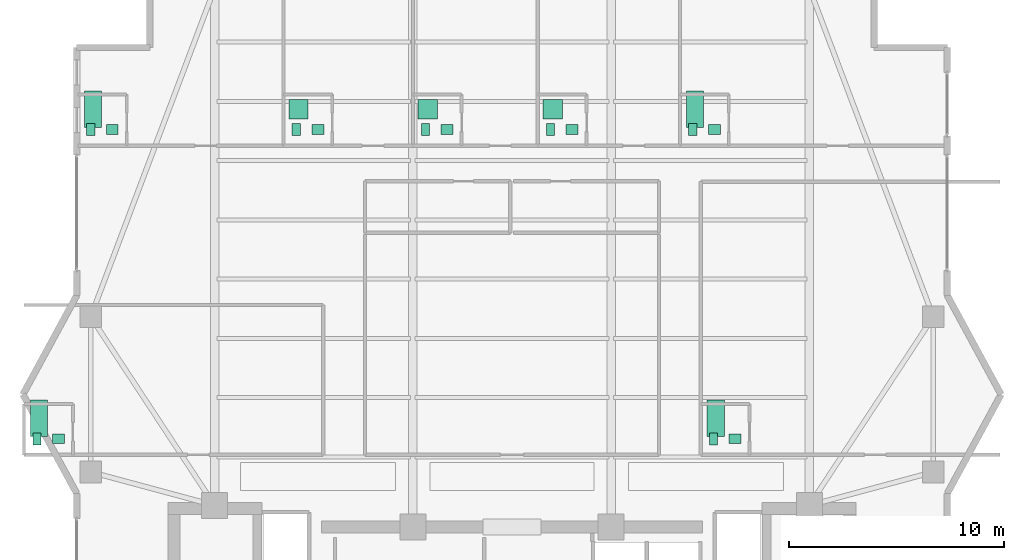
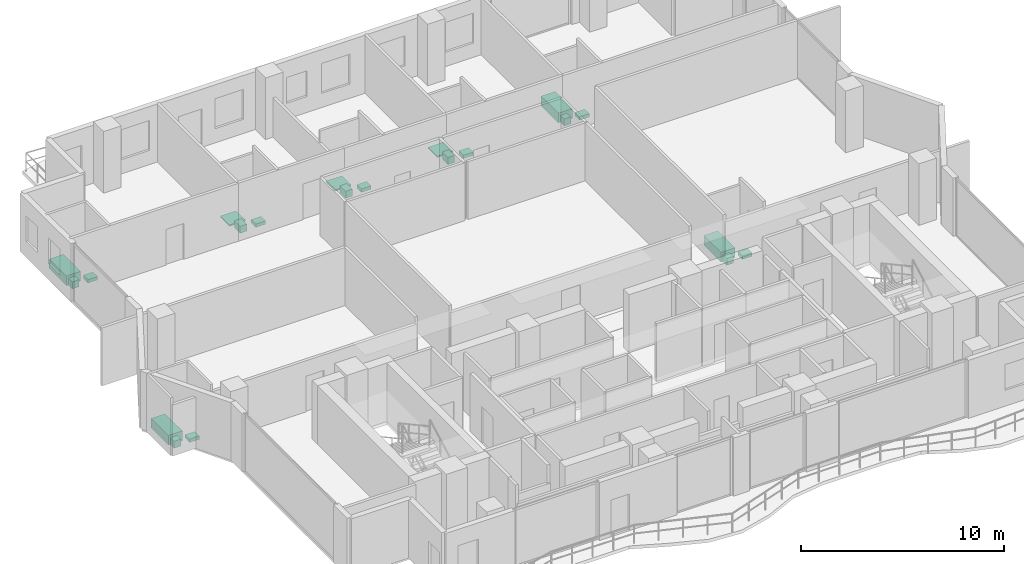
# One storey, part 25 of 25: 21 sanitary terminals.
"""IFC4 building model written with IfcOpenShell, lengths in metres."""

from ifc_helpers import new_model, si_unit, direction, frame, origin, origin_2d, place, context, subcontext, project, spatial, rectangle, extrude, material, type_object, element, save


model = new_model("IFC4")

# Units and contexts
model_context = context("Model", 3, precision=1e-05, world=origin(), true_north=direction((0.0, 1.0)))
body_context = subcontext(model_context, "Body", "Model", "MODEL_VIEW")
ifc_project = project(units=[si_unit("LENGTHUNIT", "METRE"), si_unit("AREAUNIT", "SQUARE_METRE"), si_unit("VOLUMEUNIT", "CUBIC_METRE"), si_unit("PLANEANGLEUNIT", "RADIAN"), si_unit("MASSUNIT", "GRAM", prefix="KILO")], contexts=[model_context])

# Site, building, storey
site_placement = place(None, origin())
site = spatial("IfcSite", under=ifc_project, at=site_placement, CompositionType="ELEMENT")
building_placement = place(site_placement, origin())
building = spatial("IfcBuilding", under=site, at=building_placement, Name="Zuhayl Quay Hotel", CompositionType="ELEMENT")
storey_placement = place(building_placement, frame((0.0, 0.0, 243.35009765625)))
storey = spatial("IfcBuildingStorey", under=building, at=storey_placement, Name="L61", CompositionType="ELEMENT", Elevation=243.35009765625)

# Sanitary terminals
ifc_material = material(Name="Vitreous Porcelain Sanitaryware")
sanitary_terminal_type_1 = type_object("IfcSanitaryTerminalType", Name="SAN_BASIN", PredefinedType="WASHHANDBASIN", material=ifc_material)
for number, where, z_axis, x_axis, name in (
    (1, (-18.550048828125, 31.7900390625, 0.0), (0.0, 0.0, 1.0), (1.0, 0.0, 0.0), "L61 Sanitary Fixture WASHHANDBASIN"),
    (2, (-9.010009765625, 31.7900390625, 0.0), (0.0, 0.0, 1.0), (1.0, 0.0, 0.0), "L61 Sanitary Fixture WASHHANDBASIN"),
    (3, (-3.010009765625, 31.7900390625, 0.0), (0.0, 0.0, 1.0), (1.0, 0.0, 0.0), "L61 Sanitary Fixture WASHHANDBASIN"),
    (4, (2.7900390625, 31.7900390625, 0.0), (0.0, 0.0, 1.0), (1.0, 0.0, 0.0), "L61 Sanitary Fixture WASHHANDBASIN"),
    (5, (9.389892578125, 31.7900390625, 0.0), (0.0, 0.0, 1.0), (1.0, 0.0, 0.0), "L61 Sanitary Fixture WASHHANDBASIN"),
    (6, (-21.050048828125, 17.43994140625, 0.0), (0.0, 0.0, 1.0), (1.0, 0.0, 0.0), "L61 Sanitary Fixture WASHHANDBASIN"),
    (7, (10.35009765625, 17.43994140625, 0.0), (0.0, 0.0, 1.0), (1.0, 0.0, 0.0), "L61 Sanitary Fixture WASHHANDBASIN"),
):
    element("IfcSanitaryTerminal", number, at=place(storey_placement, frame(where, z_axis=z_axis, x_axis=x_axis)), inside=storey, type_object=sanitary_terminal_type_1, Name=name, PredefinedType="WASHHANDBASIN", context=body_context, shape_type="SweptSolid", body=[
        extrude(rectangle(XDim=0.550048828125, YDim=0.449951171875, at=origin_2d()), origin(), (0.0, 0.0, 1.0), 0.199951171875),
    ])
sanitary_terminal_type_2 = type_object("IfcSanitaryTerminalType", Name="SAN_BATH", PredefinedType="BATH", material=ifc_material)
for number, where, z_axis, x_axis, name in (
    (8, (-19.449951171875, 32.739990234375, -0.000244140625), (0.0, 0.0, 1.0), (1.0, 0.0, 0.0), "L61 Sanitary Fixture BATH"),
    (9, (8.489990234375, 32.739990234375, -0.000244140625), (0.0, 0.0, 1.0), (1.0, 0.0, 0.0), "L61 Sanitary Fixture BATH"),
    (10, (-21.949951171875, 18.389892578125, -0.000244140625), (0.0, 0.0, 1.0), (1.0, 0.0, 0.0), "L61 Sanitary Fixture BATH"),
    (11, (9.449951171875, 18.389892578125, -0.000244140625), (0.0, 0.0, 1.0), (1.0, 0.0, 0.0), "L61 Sanitary Fixture BATH"),
):
    element("IfcSanitaryTerminal", number, at=place(storey_placement, frame(where, z_axis=z_axis, x_axis=x_axis)), inside=storey, type_object=sanitary_terminal_type_2, Name=name, PredefinedType="BATH", context=body_context, shape_type="SweptSolid", body=[
        extrude(rectangle(XDim=0.800048828125, YDim=1.699951171875, at=origin_2d()), origin(), (0.0, 0.0, 1.0), 0.580078125),
    ])
sanitary_terminal_type_3 = type_object("IfcSanitaryTerminalType", Name="SAN_SHOWER", PredefinedType="SHOWER", material=ifc_material)
for number, where, z_axis, x_axis, name in (
    (12, (-9.909912109375, 32.739990234375, -0.000244140625), (0.0, 0.0, 1.0), (1.0, 0.0, 0.0), "L61 Sanitary Fixture SHOWER"),
    (13, (-3.909912109375, 32.739990234375, -0.000244140625), (0.0, 0.0, 1.0), (1.0, 0.0, 0.0), "L61 Sanitary Fixture SHOWER"),
    (14, (1.889892578125, 32.739990234375, -0.000244140625), (0.0, 0.0, 1.0), (1.0, 0.0, 0.0), "L61 Sanitary Fixture SHOWER"),
):
    element("IfcSanitaryTerminal", number, at=place(storey_placement, frame(where, z_axis=z_axis, x_axis=x_axis)), inside=storey, type_object=sanitary_terminal_type_3, Name=name, PredefinedType="SHOWER", context=body_context, shape_type="SweptSolid", body=[
        extrude(rectangle(XDim=0.89990234375, YDim=0.89990234375, at=origin_2d()), origin(), (0.0, 0.0, 1.0), 0.080078125),
    ])
sanitary_terminal_type_4 = type_object("IfcSanitaryTerminalType", Name="SAN_WC", PredefinedType="TOILETPAN", material=ifc_material)
for number, where, z_axis, x_axis, name in (
    (15, (-19.550048828125, 31.7900390625, 0.0), (0.0, 0.0, 1.0), (1.0, 0.0, 0.0), "L61 Sanitary Fixture TOILETPAN"),
    (16, (-10.010009765625, 31.7900390625, 0.0), (0.0, 0.0, 1.0), (1.0, 0.0, 0.0), "L61 Sanitary Fixture TOILETPAN"),
    (17, (-4.010009765625, 31.7900390625, 0.0), (0.0, 0.0, 1.0), (1.0, 0.0, 0.0), "L61 Sanitary Fixture TOILETPAN"),
    (18, (1.7900390625, 31.7900390625, 0.0), (0.0, 0.0, 1.0), (1.0, 0.0, 0.0), "L61 Sanitary Fixture TOILETPAN"),
    (19, (8.389892578125, 31.7900390625, 0.0), (0.0, 0.0, 1.0), (1.0, 0.0, 0.0), "L61 Sanitary Fixture TOILETPAN"),
    (20, (-22.050048828125, 17.43994140625, 0.0), (0.0, 0.0, 1.0), (1.0, 0.0, 0.0), "L61 Sanitary Fixture TOILETPAN"),
    (21, (9.35009765625, 17.43994140625, 0.0), (0.0, 0.0, 1.0), (1.0, 0.0, 0.0), "L61 Sanitary Fixture TOILETPAN"),
):
    element("IfcSanitaryTerminal", number, at=place(storey_placement, frame(where, z_axis=z_axis, x_axis=x_axis)), inside=storey, type_object=sanitary_terminal_type_4, Name=name, PredefinedType="TOILETPAN", context=body_context, shape_type="SweptSolid", body=[
        extrude(rectangle(XDim=0.3798828125, YDim=0.56005859375, at=origin_2d()), origin(), (0.0, 0.0, 1.0), 0.419921875),
    ])

save(model, "model.ifc")
